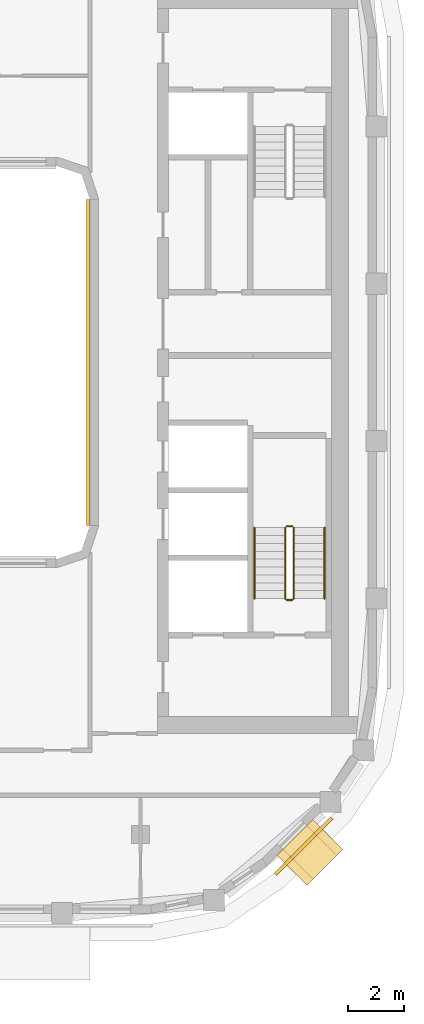
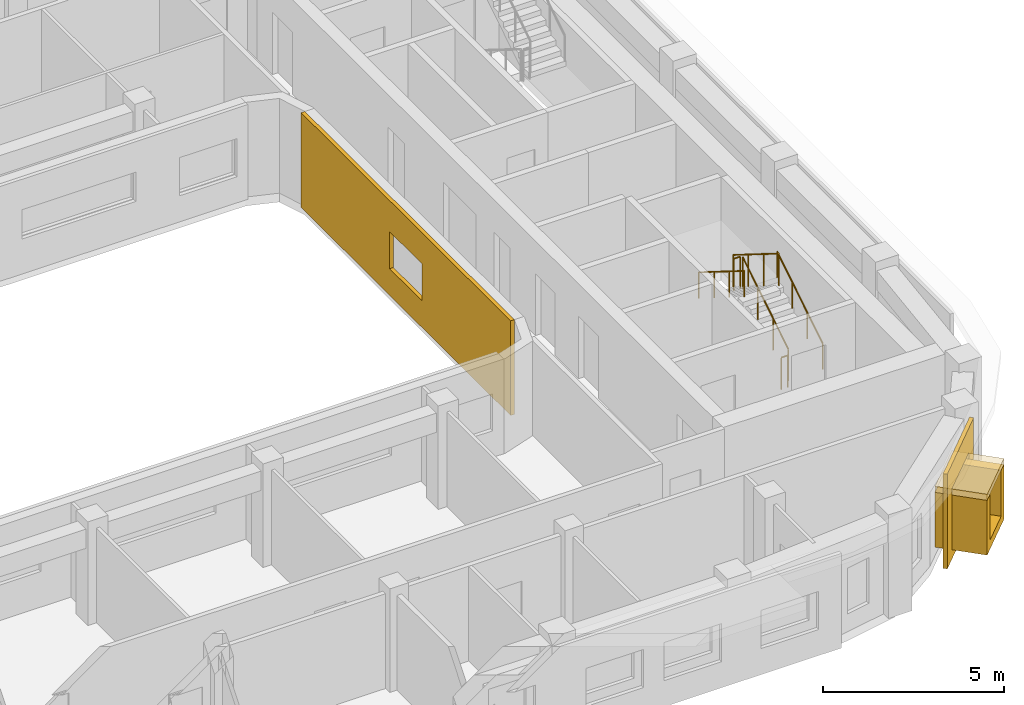
# One storey, part 13 of 16: 6 railings, 4 coverings.
"""IFC4 building model written with IfcOpenShell, lengths in metres."""

import ifcopenshell
import ifcopenshell.guid

model = None  # the IFC model being written
_history = None  # IfcOwnerHistory: only IFC2X3 demands one
_inside = {}  # id of a spatial element -> (the spatial element, [elements in it])
_under = {}  # id of a project, library or spatial element -> (it, [spatial elements below it])
_declared = {}  # id of a project -> (the project, [libraries it declares])
_typed = {}  # id of a type object -> (the type object, [elements of that type])
_made_of = {}  # id of a material, layer set ... -> (it, [elements and type objects made of it])


def new_model(schema):
    """Start an empty IFC model of exactly this schema.

    Asked for "IFC4X3", IfcOpenShell would pick the latest addendum, in which some entities
    have other attributes; the version numbers below select the first issue.
    IFC2X3 requires an IfcOwnerHistory on every rooted entity: one is made here for all.
    """
    global model, _history
    if schema == "IFC4X3":
        model = ifcopenshell.file(schema_version=(4, 3, 0, 0))
    else:
        model = ifcopenshell.file(schema=schema)
    _inside.clear()
    _under.clear()
    _declared.clear()
    _typed.clear()
    _made_of.clear()
    _history = None
    if model.schema == "IFC2X3":
        org = make("IfcOrganization", Name="unknown")
        user = make(
            "IfcPersonAndOrganization",
            ThePerson=make("IfcPerson", FamilyName="unknown"),
            TheOrganization=org,
        )
        app = make(
            "IfcApplication",
            ApplicationDeveloper=org,
            Version="unknown",
            ApplicationFullName="unknown",
            ApplicationIdentifier="unknown",
        )
        _history = make(
            "IfcOwnerHistory",
            OwningUser=user,
            OwningApplication=app,
            ChangeAction="ADDED",
            CreationDate=0,
        )
    return model


def make(cls, **values):
    """One entity of the class cls with the attributes given. An attribute that is None is left unset."""
    return model.create_entity(
        cls, **{name: value for name, value in values.items() if value is not None}
    )


def rooted(cls, **values):
    """An entity with a GlobalId (a new one), such as an element, a storey or a relation."""
    return make(cls, GlobalId=ifcopenshell.guid.new(), OwnerHistory=_history, **values)


def si_unit(unit_type, name, prefix=None):
    """IfcSIUnit, for example si_unit("LENGTHUNIT", "METRE", prefix="MILLI")."""
    return make("IfcSIUnit", UnitType=unit_type, Prefix=prefix, Name=name)


def assignment(units):
    """IfcUnitAssignment: the units of a project."""
    return None if units is None else make("IfcUnitAssignment", Units=units)


def point(xyz):
    """IfcCartesianPoint."""
    return None if xyz is None else make("IfcCartesianPoint", Coordinates=xyz)


def direction(xyz):
    """IfcDirection."""
    return None if xyz is None else make("IfcDirection", DirectionRatios=xyz)


def frame(location, z_axis=None, x_axis=None):
    """IfcAxis2Placement3D, a coordinate frame: its origin and axes. An axis left out is left unset."""
    return make(
        "IfcAxis2Placement3D",
        Location=point(location),
        Axis=direction(z_axis),
        RefDirection=direction(x_axis),
    )


def frame_2d(location, x_axis=None):
    """IfcAxis2Placement2D, a coordinate frame in the plane: its origin and x axis."""
    return make(
        "IfcAxis2Placement2D", Location=point(location), RefDirection=direction(x_axis)
    )


def origin():
    """The frame at (0, 0, 0) with its axes left unset."""
    return frame((0.0, 0.0, 0.0))


def origin_2d():
    """The frame at (0, 0) in the plane with its x axis left unset."""
    return frame_2d((0.0, 0.0))


def place(relative_to, where):
    """IfcLocalPlacement: puts the frame where relative to a parent placement (None: the world)."""
    return make(
        "IfcLocalPlacement", PlacementRelTo=relative_to, RelativePlacement=where
    )


def context(
    kind, dimensions, precision=None, world=None, true_north=None, identifier=None
):
    """IfcGeometricRepresentationContext, for example the 3D "Model" context."""
    return make(
        "IfcGeometricRepresentationContext",
        ContextIdentifier=identifier,
        ContextType=kind,
        CoordinateSpaceDimension=dimensions,
        Precision=precision,
        WorldCoordinateSystem=world,
        TrueNorth=true_north,
    )


def subcontext(parent, identifier, kind, view, scale=None):
    """IfcGeometricRepresentationSubContext, for example "Body" below "Model"."""
    return make(
        "IfcGeometricRepresentationSubContext",
        ContextIdentifier=identifier,
        ContextType=kind,
        ParentContext=parent,
        TargetScale=scale,
        TargetView=view,
    )


def project(units=None, contexts=None):
    """IfcProject with its units and contexts."""
    return rooted(
        "IfcProject",
        Name="project",
        RepresentationContexts=contexts,
        UnitsInContext=assignment(units),
    )


def spatial(cls, under=None, at=None, **own):
    """A site, building, storey or space (cls), placed at a placement, below another one or the project."""
    s = rooted(cls, ObjectPlacement=at, **own)
    if under is not None:
        _under.setdefault(under.id(), (under, []))[1].append(s)
    return s


def polyline(points):
    """IfcPolyline through the points."""
    return make("IfcPolyline", Points=[point(p) for p in points])


def profile(cls, at=None, kind="AREA", **sizes):
    """A parametric profile (cls). Its sizes go by their IFC names, for example OverallWidth=200.0."""
    return make(cls, ProfileType=kind, Position=at, **sizes)


def rectangle(**sizes):
    """IfcRectangleProfileDef."""
    return profile("IfcRectangleProfileDef", **sizes)


def circle(**sizes):
    """IfcCircleProfileDef."""
    return profile("IfcCircleProfileDef", **sizes)


def outline(outer, holes=None, kind="AREA"):
    """IfcArbitraryClosedProfileDef: a profile drawn as a closed curve; with holes, ...WithVoids."""
    if holes is None:
        return make("IfcArbitraryClosedProfileDef", ProfileType=kind, OuterCurve=outer)
    return make(
        "IfcArbitraryProfileDefWithVoids",
        ProfileType=kind,
        OuterCurve=outer,
        InnerCurves=holes,
    )


def extrude(swept, where, along, depth):
    """IfcExtrudedAreaSolid: the profile swept, set in the frame where, extruded along a direction by depth."""
    return make(
        "IfcExtrudedAreaSolid",
        SweptArea=swept,
        Position=where,
        ExtrudedDirection=direction(along),
        Depth=depth,
    )


def shape(context_of_items, identifier, shape_type, items):
    """IfcShapeRepresentation: the items that make up one representation, for example the "Body"."""
    return make(
        "IfcShapeRepresentation",
        ContextOfItems=context_of_items,
        RepresentationIdentifier=identifier,
        RepresentationType=shape_type,
        Items=items,
    )


def material(Name=None, Category=None):
    """IfcMaterial."""
    return make("IfcMaterial", Name=Name, Category=Category)


def layer(
    of_material, thickness, ventilated=None, Name=None, Category=None, Priority=None
):
    """IfcMaterialLayer: one layer of a wall or slab, of a material (None: an air gap)."""
    return make(
        "IfcMaterialLayer",
        Material=of_material,
        LayerThickness=thickness,
        IsVentilated=ventilated,
        Name=Name,
        Category=Category,
        Priority=Priority,
    )


def layer_set(layers, Name=None):
    """IfcMaterialLayerSet."""
    return make("IfcMaterialLayerSet", MaterialLayers=layers, LayerSetName=Name)


def made_of(thing, what):
    """Note that an element or type object is made of a material, layer set ...; save() writes the relation."""
    if what is not None:
        _made_of.setdefault(what.id(), (what, []))[1].append(thing)
    return thing


def type_object(cls, material=None, **own):
    """A type object (cls), such as IfcWallType, which elements share."""
    return made_of(rooted(cls, **own), material)


def element(
    cls,
    number,
    at=None,
    inside=None,
    cuts=None,
    type_object=None,
    material=None,
    context=None,
    identifier="Body",
    shape_type=None,
    held_by="IfcProductDefinitionShape",
    body=None,
    shapes=None,
    **own,
):
    """One element of the class cls, such as IfcWall. Its Tag is "e" and its number.

    at: its placement. inside: the storey or other place that contains it. cuts: it is an
    opening in that element (IfcRelVoidsElement). A single representation is given by context,
    identifier, shape_type and body (its items); several are given by shapes. held_by: the class
    of the entity that holds the representations. save() writes the other relations.
    """
    e = rooted(cls, Tag="e%d" % number, ObjectPlacement=at, **own)
    if body is not None:
        shapes = [shape(context, identifier, shape_type, body)]
    if shapes is not None:
        e.Representation = make(held_by, Representations=shapes)
    if inside is not None:
        _inside.setdefault(inside.id(), (inside, []))[1].append(e)
    if cuts is not None:
        rooted(
            "IfcRelVoidsElement", RelatingBuildingElement=cuts, RelatedOpeningElement=e
        )
    if type_object is not None:
        _typed.setdefault(type_object.id(), (type_object, []))[1].append(e)
    return made_of(e, material)


def aggregate(whole, parts):
    """IfcRelAggregates: a whole, such as a stair, and the parts it consists of."""
    return rooted("IfcRelAggregates", RelatingObject=whole, RelatedObjects=parts)


def save(model, path):
    """Write the relations noted so far, then the file.

    IfcRelAggregates (storeys below a building ...), IfcRelContainedInSpatialStructure (elements
    in a storey), IfcRelDefinesByType, IfcRelAssociatesMaterial and IfcRelDeclares: one each for
    every whole, place, type object, material and project.
    """
    for whole, parts in _under.values():
        aggregate(whole, parts)
    for where, things in _inside.values():
        rooted(
            "IfcRelContainedInSpatialStructure",
            RelatedElements=things,
            RelatingStructure=where,
        )
    for kind, things in _typed.values():
        rooted("IfcRelDefinesByType", RelatedObjects=things, RelatingType=kind)
    for what, things in _made_of.values():
        rooted("IfcRelAssociatesMaterial", RelatedObjects=things, RelatingMaterial=what)
    for by, libraries in _declared.values():
        rooted("IfcRelDeclares", RelatingContext=by, RelatedDefinitions=libraries)
    model.write(path)


model = new_model("IFC4")

# Units and contexts
model_context = context("Model", 3, precision=1e-05, world=origin(), true_north=direction((0.0, 1.0)))
body_context = subcontext(model_context, "Body", "Model", "MODEL_VIEW")
ifc_project = project(units=[si_unit("LENGTHUNIT", "METRE"), si_unit("AREAUNIT", "SQUARE_METRE"), si_unit("VOLUMEUNIT", "CUBIC_METRE"), si_unit("PLANEANGLEUNIT", "RADIAN"), si_unit("MASSUNIT", "GRAM", prefix="KILO")], contexts=[model_context])

# Site, building, storey
site_placement = place(None, origin())
site = spatial("IfcSite", under=ifc_project, at=site_placement, CompositionType="ELEMENT")
building_placement = place(site_placement, origin())
building = spatial("IfcBuilding", under=site, at=building_placement, Name="Kiln Ring Residences", CompositionType="ELEMENT")
storey_placement = place(building_placement, frame((0.0, 0.0, 276.699951171875)))
storey = spatial("IfcBuildingStorey", under=building, at=storey_placement, Name="L72", CompositionType="ELEMENT", Elevation=276.699951171875)

# Railings
ifc_material_1 = material(Name="Stainless steel", Category="steel")
railing_type_1 = type_object("IfcRailingType", Name="CORE-STAIR-GUARD", PredefinedType="GUARDRAIL", material=ifc_material_1)
railing_1_placement = place(storey_placement, frame((22.25, -8.39990234375, 0.175048828125)))
element("IfcRailing", 1, at=railing_1_placement, inside=storey, type_object=railing_type_1, Name="L72 E-STS stair guard 1", PredefinedType="GUARDRAIL", context=body_context, shape_type="SweptSolid", body=[
    extrude(circle(Radius=0.02392578125, at=origin_2d()), frame((0.0, 0.0, 1.076171875), z_axis=(0.0, 0.848007534815, 0.529984170421), x_axis=(-1.0, 0.0, 0.0)), (0.0, 0.0, 1.0), 2.9716796875),
    extrude(circle(Radius=0.02099609375, at=origin_2d()), origin(), (0.0, 0.0, 1.0), 1.052001953125),
    extrude(circle(Radius=0.02099609375, at=origin_2d()), frame((0.0, 0.840087890625, 0.52490234375)), (0.0, 0.0, 1.0), 1.052001953125),
    extrude(circle(Radius=0.02099609375, at=origin_2d()), frame((0.0, 1.679931640625, 1.050048828125)), (0.0, 0.0, 1.0), 1.052001953125),
    extrude(circle(Radius=0.02099609375, at=origin_2d()), frame((0.0, 2.52001953125, 1.574951171875)), (0.0, 0.0, 1.0), 1.052001953125),
])
railing_2_placement = place(storey_placement, frame((22.199951171875, -5.830078125, 1.75)))
element("IfcRailing", 2, at=railing_2_placement, inside=storey, type_object=railing_type_1, Name="L72 E-STS stair guard 2", PredefinedType="GUARDRAIL", context=body_context, shape_type="SweptSolid", body=[
    extrude(circle(Radius=0.02392578125, at=origin_2d()), frame((0.0, 0.0, 1.076171875), z_axis=(-1.0, 0.0, 0.0), x_axis=(0.0, -1.0, 0.0)), (0.0, 0.0, 1.0), 0.199951171875),
    extrude(circle(Radius=0.02099609375, at=origin_2d()), origin(), (0.0, 0.0, 1.0), 1.052001953125),
    extrude(circle(Radius=0.02099609375, at=origin_2d()), frame((-0.199951171875, 0.0, 0.0)), (0.0, 0.0, 1.0), 1.052001953125),
])
railing_3_placement = place(storey_placement, frame((21.949951171875, -5.8798828125, 1.925048828125)))
element("IfcRailing", 3, at=railing_3_placement, inside=storey, type_object=railing_type_1, Name="L72 E-STS stair guard 3", PredefinedType="GUARDRAIL", context=body_context, shape_type="SweptSolid", body=[
    extrude(circle(Radius=0.02392578125, at=origin_2d()), frame((0.0, 0.0, 1.076171875), z_axis=(0.0, -0.848007534815, 0.529984170421), x_axis=(1.0, 0.0, 0.0)), (0.0, 0.0, 1.0), 2.9716796875),
    extrude(circle(Radius=0.02099609375, at=origin_2d()), origin(), (0.0, 0.0, 1.0), 1.052001953125),
    extrude(circle(Radius=0.02099609375, at=origin_2d()), frame((0.0, -0.840087890625, 0.52490234375)), (0.0, 0.0, 1.0), 1.052001953125),
    extrude(circle(Radius=0.02099609375, at=origin_2d()), frame((0.0, -1.679931640625, 1.050048828125)), (0.0, 0.0, 1.0), 1.052001953125),
    extrude(circle(Radius=0.02099609375, at=origin_2d()), frame((0.0, -2.52001953125, 1.574951171875)), (0.0, 0.0, 1.0), 1.052001953125),
])
railing_4_placement = place(storey_placement, frame((22.199951171875, -8.449951171875, 0.0)))
element("IfcRailing", 4, at=railing_4_placement, inside=storey, type_object=railing_type_1, Name="L72 E-STS stair guard 4", PredefinedType="GUARDRAIL", context=body_context, shape_type="SweptSolid", body=[
    extrude(circle(Radius=0.02392578125, at=origin_2d()), frame((0.0, 0.0, 1.076171875), z_axis=(-1.0, 0.0, 0.0), x_axis=(0.0, -1.0, 0.0)), (0.0, 0.0, 1.0), 0.199951171875),
    extrude(circle(Radius=0.02099609375, at=origin_2d()), origin(), (0.0, 0.0, 1.0), 1.052001953125),
    extrude(circle(Radius=0.02099609375, at=origin_2d()), frame((-0.199951171875, 0.0, 0.0)), (0.0, 0.0, 1.0), 1.052001953125),
])
ifc_material_2 = material(Name="Stainless steel", Category="steel")
railing_type_2 = type_object("IfcRailingType", Name="CORE-STAIR-HANDRAIL", PredefinedType="HANDRAIL", material=ifc_material_2)
railing_5_placement = place(storey_placement, frame((23.35009765625, -8.39990234375, 0.175048828125)))
element("IfcRailing", 5, at=railing_5_placement, inside=storey, type_object=railing_type_2, Name="L72 E-STS stair handrail 1", PredefinedType="HANDRAIL", context=body_context, shape_type="SweptSolid", body=[
    extrude(circle(Radius=0.02392578125, at=origin_2d()), frame((0.0, 0.0, 0.8759765625), z_axis=(0.0, 0.848007534815, 0.529984170421), x_axis=(-1.0, 0.0, 0.0)), (0.0, 0.0, 1.0), 2.9716796875),
    extrude(circle(Radius=0.02099609375, at=origin_2d()), origin(), (0.0, 0.0, 1.0), 0.851806640625),
    extrude(circle(Radius=0.02099609375, at=origin_2d()), frame((0.0, 0.840087890625, 0.52490234375)), (0.0, 0.0, 1.0), 0.851806640625),
    extrude(circle(Radius=0.02099609375, at=origin_2d()), frame((0.0, 1.679931640625, 1.050048828125)), (0.0, 0.0, 1.0), 0.851806640625),
    extrude(circle(Radius=0.02099609375, at=origin_2d()), frame((0.0, 2.52001953125, 1.574951171875)), (0.0, 0.0, 1.0), 0.851806640625),
])
railing_6_placement = place(storey_placement, frame((20.85009765625, -5.8798828125, 1.925048828125)))
element("IfcRailing", 6, at=railing_6_placement, inside=storey, type_object=railing_type_2, Name="L72 E-STS stair handrail 2", PredefinedType="HANDRAIL", context=body_context, shape_type="SweptSolid", body=[
    extrude(circle(Radius=0.02392578125, at=origin_2d()), frame((0.0, 0.0, 0.8759765625), z_axis=(0.0, -0.848007534815, 0.529984170421), x_axis=(1.0, 0.0, 0.0)), (0.0, 0.0, 1.0), 2.9716796875),
    extrude(circle(Radius=0.02099609375, at=origin_2d()), origin(), (0.0, 0.0, 1.0), 0.851806640625),
    extrude(circle(Radius=0.02099609375, at=origin_2d()), frame((0.0, -0.840087890625, 0.52490234375)), (0.0, 0.0, 1.0), 0.851806640625),
    extrude(circle(Radius=0.02099609375, at=origin_2d()), frame((0.0, -1.679931640625, 1.050048828125)), (0.0, 0.0, 1.0), 0.851806640625),
    extrude(circle(Radius=0.02099609375, at=origin_2d()), frame((0.0, -2.52001953125, 1.574951171875)), (0.0, 0.0, 1.0), 0.851806640625),
])

# Coverings
ifc_material_3 = material(Name="Brick masonry, dark clay brick", Category="masonry")
ifc_layer_1 = layer(ifc_material_3, 0.300048828125)
ifc_layer_set_1 = layer_set([ifc_layer_1], Name="FRAME CHEEKS AND SILL 1500")
covering_type_1 = type_object("IfcCoveringType", Name="FRAME CHEEKS AND SILL 1500", PredefinedType="CLADDING", material=ifc_layer_set_1)
covering_1_placement = place(storey_placement, frame((22.189697265625, -18.07080078125, 0.300048828125), z_axis=(0.0, 0.0, 1.0), x_axis=(0.707174592913, 0.707038962956, 0.0)))
element("IfcCovering", 7, at=covering_1_placement, inside=storey, type_object=covering_type_1, Name="FRAME L72", PredefinedType="CLADDING", context=body_context, shape_type="SweptSolid", body=[
    extrude(outline(polyline([(0.0, 0.0), (1.800048828125, 0.0), (1.800048828125, 1.85009765625), (1.5009765625, 1.85009765625), (1.5, 0.300048828125), (0.300048828125, 0.300048828125), (0.299072265625, 1.85009765625), (0.0, 1.85009765625), (0.0, 0.0)])), frame((0.0, 0.75, 0.0), z_axis=(0.0, -1.0, 0.0), x_axis=(1.0, 0.0, 0.0)), (0.0, 0.0, 1.0), 1.5),
])
ifc_material_4 = material(Name="Brick masonry, dark clay brick", Category="masonry")
ifc_layer_2 = layer(ifc_material_4, 0.199951171875)
ifc_layer_set_2 = layer_set([ifc_layer_2], Name="FRAME HEAD 1500")
covering_type_2 = type_object("IfcCoveringType", Name="FRAME HEAD 1500", PredefinedType="CLADDING", material=ifc_layer_set_2)
covering_2_placement = place(storey_placement, frame((22.826171875, -17.4345703125, 2.14990234375), z_axis=(0.0, 0.0, 1.0), x_axis=(0.707106781187, 0.707106781187, 0.0)))
element("IfcCovering", 8, at=covering_2_placement, inside=storey, type_object=covering_type_2, Name="FRAME HEAD L72", PredefinedType="CLADDING", context=body_context, shape_type="SweptSolid", body=[
    extrude(rectangle(XDim=1.800048828125, YDim=1.5, at=origin_2d()), origin(), (0.0, 0.0, 1.0), 0.199951171875),
])
ifc_material_5 = material(Name="Brick masonry, dark clay brick", Category="masonry")
ifc_layer_3 = layer(ifc_material_5, 0.1201171875)
ifc_layer_set_3 = layer_set([ifc_layer_3], Name="RAINSCREEN PANEL 120")
covering_type_3 = type_object("IfcCoveringType", Name="RAINSCREEN PANEL 120", PredefinedType="CLADDING", material=ifc_layer_set_3)
covering_3_placement = place(storey_placement, frame((21.604736328125, -18.21044921875, 0.0), z_axis=(0.0, 0.0, 1.0), x_axis=(0.707106781187, 0.707106781187, 0.0)))
element("IfcCovering", 9, at=covering_3_placement, inside=storey, type_object=covering_type_3, Name="RAINSCREEN L72", PredefinedType="CLADDING", context=body_context, shape_type="SweptSolid", body=[
    extrude(outline(polyline([(0.0, 0.0), (2.824951171875, 0.0), (2.824951171875, 3.199951171875), (0.0, 3.199951171875), (0.0, 0.0)]), holes=[polyline([(0.492431640625, 2.3701171875), (0.492431640625, 0.280029296875), (2.33251953125, 0.280029296875), (2.33251953125, 2.3701171875), (0.492431640625, 2.3701171875)])]), frame((0.0, 0.06005859375, 0.0), z_axis=(0.0, -1.0, 0.0), x_axis=(1.0, 0.0, 0.0)), (0.0, 0.0, 1.0), 0.1201171875),
])
covering_4_placement = place(storey_placement, frame((14.93994140625, 5.800048828125, 0.0), z_axis=(0.0, 0.0, 1.0), x_axis=(0.0, -1.0, 0.0)))
element("IfcCovering", 10, at=covering_4_placement, inside=storey, type_object=covering_type_3, Name="RAINSCREEN L72", PredefinedType="CLADDING", context=body_context, shape_type="SweptSolid", body=[
    extrude(outline(polyline([(0.0, 0.0), (11.60009765625, 0.0), (11.60009765625, 3.199951171875), (0.0, 3.199951171875), (0.0, 0.0)]), holes=[polyline([(4.89990234375, 2.150146484375), (4.89990234375, 0.900146484375), (6.699951171875, 0.900146484375), (6.699951171875, 2.150146484375), (4.89990234375, 2.150146484375)])]), frame((0.0, 0.06005859375, 0.0), z_axis=(0.0, -1.0, 0.0), x_axis=(1.0, 0.0, 0.0)), (0.0, 0.0, 1.0), 0.1201171875),
])

save(model, "model.ifc")
